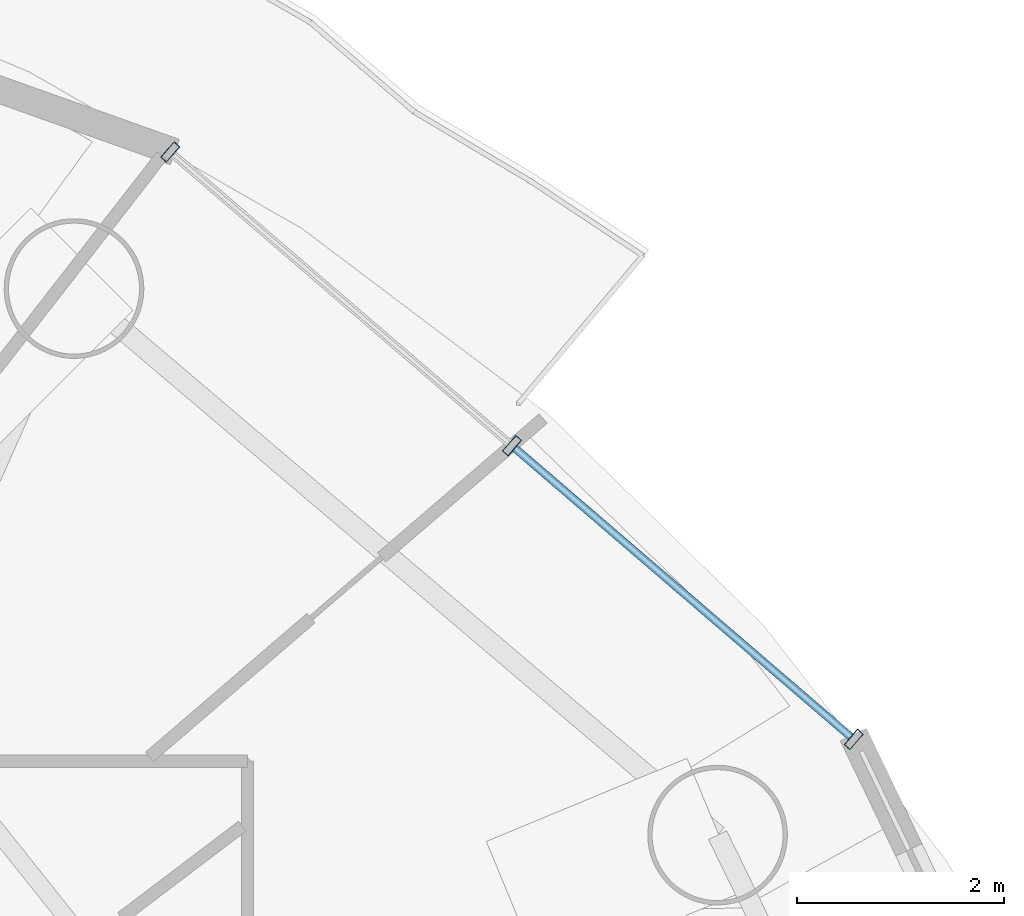
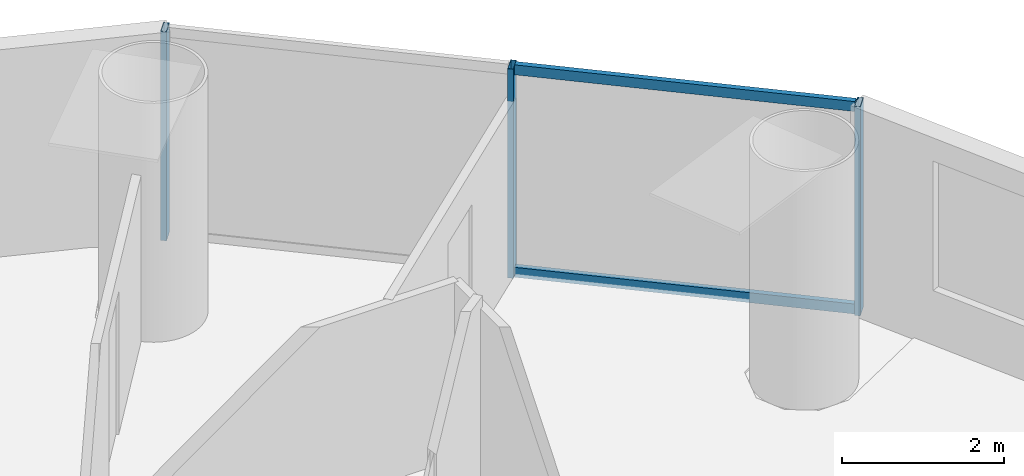
# One storey, part 18 of 26: 5 members, 1 element without a shape of its own.
"""IFC4 building model written with IfcOpenShell, lengths in metres."""

from ifc_helpers import new_model, si_unit, direction, frame, origin, origin_2d, place, context, subcontext, project, spatial, hollow_rectangle, extrude, source, transform, mapped, material, material_profile, profile_set, type_object, element, aggregate, save


model = new_model("IFC4")

# Units and contexts
model_context = context("Model", 3, precision=1e-05, world=origin(), true_north=direction((-0.2419218956, 0.970295726276)))
body_context = subcontext(model_context, "Body", "Model", "MODEL_VIEW")
ifc_project = project(units=[si_unit("LENGTHUNIT", "METRE"), si_unit("AREAUNIT", "SQUARE_METRE"), si_unit("VOLUMEUNIT", "CUBIC_METRE"), si_unit("PLANEANGLEUNIT", "RADIAN"), si_unit("MASSUNIT", "GRAM", prefix="KILO")], contexts=[model_context])

# Site, building, storey
site_placement = place(None, origin())
site = spatial("IfcSite", under=ifc_project, at=site_placement, CompositionType="ELEMENT")
building_placement = place(site_placement, origin())
building = spatial("IfcBuilding", under=site, at=building_placement, Name="Cobrevalo Terracotta Tower", CompositionType="ELEMENT")
storey_placement = place(building_placement, frame((0.0, 0.0, 182.199951171875)))
storey = spatial("IfcBuildingStorey", under=building, at=storey_placement, Name="L48", CompositionType="ELEMENT", Elevation=182.199951171875)

# Curtain wall, members
ifc_material = material(Name="Anodized aluminium", Category="aluminium")
curtain_wall_type = type_object("IfcCurtainWallType", Name="Mid-tower high-wind unitised curtain wall CW-U2", PredefinedType="NOTDEFINED", material=ifc_material)
curtain_wall_placement = place(storey_placement, origin())
curtain_wall = element("IfcCurtainWall", 1, at=curtain_wall_placement, inside=storey, type_object=curtain_wall_type, Name="L48 curtain wall CW-L48-S02", PredefinedType="NOTDEFINED")
ifc_material_profile_1 = material_profile(ifc_material, hollow_rectangle(XDim=0.074951171875, YDim=0.14990234375, WallThickness=0.00439453125, at=origin_2d()), Name="CWT 75x150")
ifc_profile_set_1 = profile_set([ifc_material_profile_1], Name="Anodized aluminium")
member_type_1 = type_object("IfcMemberType", Name="Tower unitised aluminium transom 75x150", PredefinedType="USERDEFINED", material=ifc_profile_set_1)
shared_shape_1 = source(origin(), body_context, "Body", "SweptSolid", [
    extrude(hollow_rectangle(XDim=0.074951171875, YDim=0.14990234375, WallThickness=0.00439453125, at=origin_2d()), origin(), (0.0, 0.0, 1.0), 4.276123046875),
])
member_1_placement = place(storey_placement, frame((58.035888671875, 38.391357421875, 0.050048828125), z_axis=(-0.758445941187, 0.65173595443, 0.0), x_axis=(-0.65173595443, -0.758445941187, 0.0)))
member_1 = element("IfcMember", 2, at=member_1_placement, type_object=member_type_1, Name="CW-L48-S02 transom B01-T1", ObjectType="TRANSOM", PredefinedType="USERDEFINED", context=body_context, shape_type="MappedRepresentation", body=[
    mapped(shared_shape_1, transform((0.0, 0.0, 0.0), scale=1.0)),
])
member_2_placement = place(storey_placement, frame((58.035888671875, 38.391357421875, 3.10009765625), z_axis=(-0.758445941187, 0.65173595443, 0.0), x_axis=(-0.65173595443, -0.758445941187, 0.0)))
member_2 = element("IfcMember", 3, at=member_2_placement, type_object=member_type_1, Name="CW-L48-S02 transom B01-T2", ObjectType="TRANSOM", PredefinedType="USERDEFINED", context=body_context, shape_type="MappedRepresentation", body=[
    mapped(shared_shape_1, transform((0.0, 0.0, 0.0), scale=1.0)),
])
ifc_material_profile_2 = material_profile(ifc_material, hollow_rectangle(XDim=0.074951171875, YDim=0.199951171875, WallThickness=0.0048828125, at=origin_2d()), Name="CWM 75x200")
ifc_profile_set_2 = profile_set([ifc_material_profile_2], Name="Anodized aluminium")
member_type_2 = type_object("IfcMemberType", Name="Lower/mid tower unitised mullion 75x200", PredefinedType="MULLION", material=ifc_profile_set_2)
shared_shape_2 = source(origin(), body_context, "Body", "SweptSolid", [
    extrude(hollow_rectangle(XDim=0.074951171875, YDim=0.199951171875, WallThickness=0.0048828125, at=origin_2d()), origin(), (0.0, 0.0, 1.0), 3.150146484375),
])
member_3_placement = place(storey_placement, frame((58.066162109375, 38.365234375, 0.0), z_axis=(0.0, 0.0, 1.0), x_axis=(-0.758441546142, 0.65174106905, 0.0)))
member_3 = element("IfcMember", 4, at=member_3_placement, type_object=member_type_2, Name="CW-L48-S02 vertical mullion 01", PredefinedType="MULLION", context=body_context, shape_type="MappedRepresentation", body=[
    mapped(shared_shape_2, transform((0.0, 0.0, 0.0), scale=1.0)),
])
member_4_placement = place(storey_placement, frame((54.762451171875, 41.204345703125, 0.0), z_axis=(0.0, 0.0, 1.0), x_axis=(-0.758441546142, 0.65174106905, 0.0)))
member_4 = element("IfcMember", 5, at=member_4_placement, type_object=member_type_2, Name="CW-L48-S02 vertical mullion 02", PredefinedType="MULLION", context=body_context, shape_type="MappedRepresentation", body=[
    mapped(shared_shape_2, transform((0.0, 0.0, 0.0), scale=1.0)),
])
member_5_placement = place(storey_placement, frame((51.45849609375, 44.04345703125, 0.0), z_axis=(0.0, 0.0, 1.0), x_axis=(-0.758441546142, 0.65174106905, 0.0)))
member_5 = element("IfcMember", 6, at=member_5_placement, type_object=member_type_2, Name="CW-L48-S02 vertical mullion 03", PredefinedType="MULLION", context=body_context, shape_type="MappedRepresentation", body=[
    mapped(shared_shape_2, transform((0.0, 0.0, 0.0), scale=1.0)),
])
aggregate(curtain_wall, [member_3, member_4, member_5, member_1, member_2])

save(model, "model.ifc")
